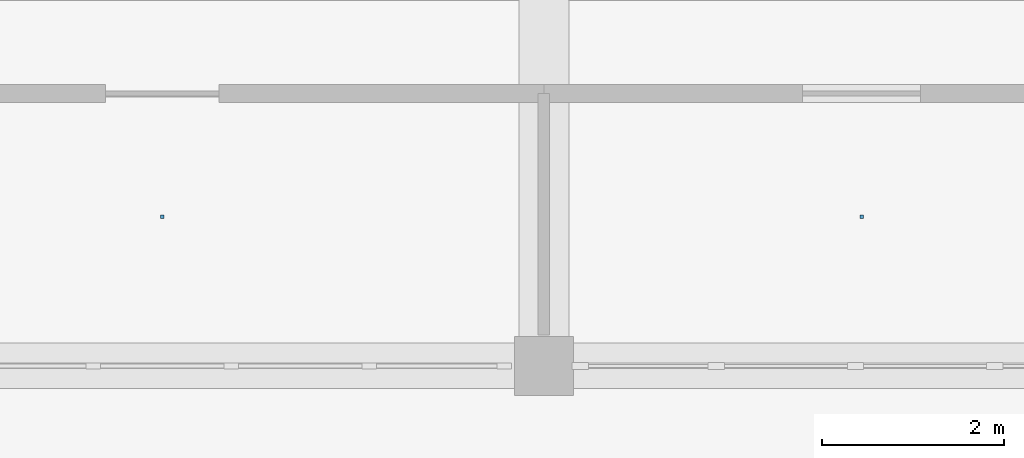
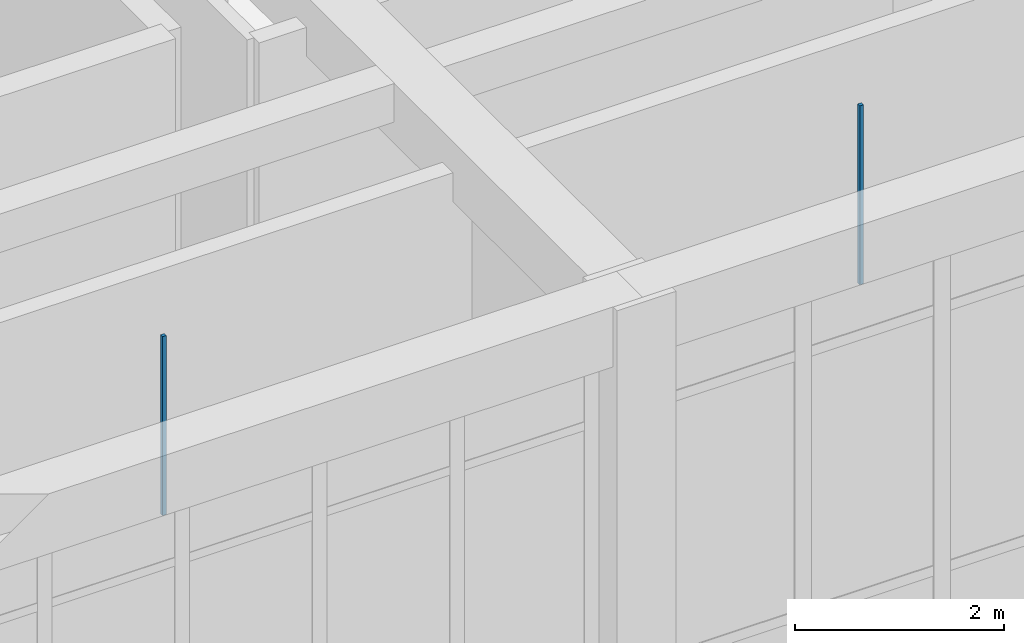
# One storey, part 97 of 167: 2 discrete accessories.
"""IFC4 building model written with IfcOpenShell, lengths in metres."""

import ifcopenshell
import ifcopenshell.guid

model = None  # the IFC model being written
_history = None  # IfcOwnerHistory: only IFC2X3 demands one
_inside = {}  # id of a spatial element -> (the spatial element, [elements in it])
_under = {}  # id of a project, library or spatial element -> (it, [spatial elements below it])
_declared = {}  # id of a project -> (the project, [libraries it declares])
_typed = {}  # id of a type object -> (the type object, [elements of that type])
_made_of = {}  # id of a material, layer set ... -> (it, [elements and type objects made of it])


def new_model(schema):
    """Start an empty IFC model of exactly this schema.

    Asked for "IFC4X3", IfcOpenShell would pick the latest addendum, in which some entities
    have other attributes; the version numbers below select the first issue.
    IFC2X3 requires an IfcOwnerHistory on every rooted entity: one is made here for all.
    """
    global model, _history
    if schema == "IFC4X3":
        model = ifcopenshell.file(schema_version=(4, 3, 0, 0))
    else:
        model = ifcopenshell.file(schema=schema)
    _inside.clear()
    _under.clear()
    _declared.clear()
    _typed.clear()
    _made_of.clear()
    _history = None
    if model.schema == "IFC2X3":
        org = make("IfcOrganization", Name="unknown")
        user = make(
            "IfcPersonAndOrganization",
            ThePerson=make("IfcPerson", FamilyName="unknown"),
            TheOrganization=org,
        )
        app = make(
            "IfcApplication",
            ApplicationDeveloper=org,
            Version="unknown",
            ApplicationFullName="unknown",
            ApplicationIdentifier="unknown",
        )
        _history = make(
            "IfcOwnerHistory",
            OwningUser=user,
            OwningApplication=app,
            ChangeAction="ADDED",
            CreationDate=0,
        )
    return model


def make(cls, **values):
    """One entity of the class cls with the attributes given. An attribute that is None is left unset."""
    return model.create_entity(
        cls, **{name: value for name, value in values.items() if value is not None}
    )


def rooted(cls, **values):
    """An entity with a GlobalId (a new one), such as an element, a storey or a relation."""
    return make(cls, GlobalId=ifcopenshell.guid.new(), OwnerHistory=_history, **values)


def si_unit(unit_type, name, prefix=None):
    """IfcSIUnit, for example si_unit("LENGTHUNIT", "METRE", prefix="MILLI")."""
    return make("IfcSIUnit", UnitType=unit_type, Prefix=prefix, Name=name)


def assignment(units):
    """IfcUnitAssignment: the units of a project."""
    return None if units is None else make("IfcUnitAssignment", Units=units)


def point(xyz):
    """IfcCartesianPoint."""
    return None if xyz is None else make("IfcCartesianPoint", Coordinates=xyz)


def direction(xyz):
    """IfcDirection."""
    return None if xyz is None else make("IfcDirection", DirectionRatios=xyz)


def frame(location, z_axis=None, x_axis=None):
    """IfcAxis2Placement3D, a coordinate frame: its origin and axes. An axis left out is left unset."""
    return make(
        "IfcAxis2Placement3D",
        Location=point(location),
        Axis=direction(z_axis),
        RefDirection=direction(x_axis),
    )


def frame_2d(location, x_axis=None):
    """IfcAxis2Placement2D, a coordinate frame in the plane: its origin and x axis."""
    return make(
        "IfcAxis2Placement2D", Location=point(location), RefDirection=direction(x_axis)
    )


def origin():
    """The frame at (0, 0, 0) with its axes left unset."""
    return frame((0.0, 0.0, 0.0))


def origin_2d():
    """The frame at (0, 0) in the plane with its x axis left unset."""
    return frame_2d((0.0, 0.0))


def place(relative_to, where):
    """IfcLocalPlacement: puts the frame where relative to a parent placement (None: the world)."""
    return make(
        "IfcLocalPlacement", PlacementRelTo=relative_to, RelativePlacement=where
    )


def context(
    kind, dimensions, precision=None, world=None, true_north=None, identifier=None
):
    """IfcGeometricRepresentationContext, for example the 3D "Model" context."""
    return make(
        "IfcGeometricRepresentationContext",
        ContextIdentifier=identifier,
        ContextType=kind,
        CoordinateSpaceDimension=dimensions,
        Precision=precision,
        WorldCoordinateSystem=world,
        TrueNorth=true_north,
    )


def subcontext(parent, identifier, kind, view, scale=None):
    """IfcGeometricRepresentationSubContext, for example "Body" below "Model"."""
    return make(
        "IfcGeometricRepresentationSubContext",
        ContextIdentifier=identifier,
        ContextType=kind,
        ParentContext=parent,
        TargetScale=scale,
        TargetView=view,
    )


def project(units=None, contexts=None):
    """IfcProject with its units and contexts."""
    return rooted(
        "IfcProject",
        Name="project",
        RepresentationContexts=contexts,
        UnitsInContext=assignment(units),
    )


def spatial(cls, under=None, at=None, **own):
    """A site, building, storey or space (cls), placed at a placement, below another one or the project."""
    s = rooted(cls, ObjectPlacement=at, **own)
    if under is not None:
        _under.setdefault(under.id(), (under, []))[1].append(s)
    return s


def profile(cls, at=None, kind="AREA", **sizes):
    """A parametric profile (cls). Its sizes go by their IFC names, for example OverallWidth=200.0."""
    return make(cls, ProfileType=kind, Position=at, **sizes)


def rectangle(**sizes):
    """IfcRectangleProfileDef."""
    return profile("IfcRectangleProfileDef", **sizes)


def extrude(swept, where, along, depth):
    """IfcExtrudedAreaSolid: the profile swept, set in the frame where, extruded along a direction by depth."""
    return make(
        "IfcExtrudedAreaSolid",
        SweptArea=swept,
        Position=where,
        ExtrudedDirection=direction(along),
        Depth=depth,
    )


def shape(context_of_items, identifier, shape_type, items):
    """IfcShapeRepresentation: the items that make up one representation, for example the "Body"."""
    return make(
        "IfcShapeRepresentation",
        ContextOfItems=context_of_items,
        RepresentationIdentifier=identifier,
        RepresentationType=shape_type,
        Items=items,
    )


def material(Name=None, Category=None):
    """IfcMaterial."""
    return make("IfcMaterial", Name=Name, Category=Category)


def made_of(thing, what):
    """Note that an element or type object is made of a material, layer set ...; save() writes the relation."""
    if what is not None:
        _made_of.setdefault(what.id(), (what, []))[1].append(thing)
    return thing


def type_object(cls, material=None, **own):
    """A type object (cls), such as IfcWallType, which elements share."""
    return made_of(rooted(cls, **own), material)


def element(
    cls,
    number,
    at=None,
    inside=None,
    cuts=None,
    type_object=None,
    material=None,
    context=None,
    identifier="Body",
    shape_type=None,
    held_by="IfcProductDefinitionShape",
    body=None,
    shapes=None,
    **own,
):
    """One element of the class cls, such as IfcWall. Its Tag is "e" and its number.

    at: its placement. inside: the storey or other place that contains it. cuts: it is an
    opening in that element (IfcRelVoidsElement). A single representation is given by context,
    identifier, shape_type and body (its items); several are given by shapes. held_by: the class
    of the entity that holds the representations. save() writes the other relations.
    """
    e = rooted(cls, Tag="e%d" % number, ObjectPlacement=at, **own)
    if body is not None:
        shapes = [shape(context, identifier, shape_type, body)]
    if shapes is not None:
        e.Representation = make(held_by, Representations=shapes)
    if inside is not None:
        _inside.setdefault(inside.id(), (inside, []))[1].append(e)
    if cuts is not None:
        rooted(
            "IfcRelVoidsElement", RelatingBuildingElement=cuts, RelatedOpeningElement=e
        )
    if type_object is not None:
        _typed.setdefault(type_object.id(), (type_object, []))[1].append(e)
    return made_of(e, material)


def aggregate(whole, parts):
    """IfcRelAggregates: a whole, such as a stair, and the parts it consists of."""
    return rooted("IfcRelAggregates", RelatingObject=whole, RelatedObjects=parts)


def save(model, path):
    """Write the relations noted so far, then the file.

    IfcRelAggregates (storeys below a building ...), IfcRelContainedInSpatialStructure (elements
    in a storey), IfcRelDefinesByType, IfcRelAssociatesMaterial and IfcRelDeclares: one each for
    every whole, place, type object, material and project.
    """
    for whole, parts in _under.values():
        aggregate(whole, parts)
    for where, things in _inside.values():
        rooted(
            "IfcRelContainedInSpatialStructure",
            RelatedElements=things,
            RelatingStructure=where,
        )
    for kind, things in _typed.values():
        rooted("IfcRelDefinesByType", RelatedObjects=things, RelatingType=kind)
    for what, things in _made_of.values():
        rooted("IfcRelAssociatesMaterial", RelatedObjects=things, RelatingMaterial=what)
    for by, libraries in _declared.values():
        rooted("IfcRelDeclares", RelatingContext=by, RelatedDefinitions=libraries)
    model.write(path)


model = new_model("IFC4")

# Units and contexts
model_context = context("Model", 3, precision=1e-05, world=origin(), true_north=direction((0.0, 1.0)))
body_context = subcontext(model_context, "Body", "Model", "MODEL_VIEW")
ifc_project = project(units=[si_unit("LENGTHUNIT", "METRE"), si_unit("AREAUNIT", "SQUARE_METRE"), si_unit("VOLUMEUNIT", "CUBIC_METRE"), si_unit("PLANEANGLEUNIT", "RADIAN"), si_unit("MASSUNIT", "GRAM", prefix="KILO")], contexts=[model_context])

# Site, building, storey
site_placement = place(None, origin())
site = spatial("IfcSite", under=ifc_project, at=site_placement, CompositionType="ELEMENT")
building_placement = place(site_placement, origin())
building = spatial("IfcBuilding", under=site, at=building_placement, Name="Varncliffe General Hospital", CompositionType="ELEMENT")
storey_placement = place(building_placement, origin())
storey = spatial("IfcBuildingStorey", under=building, at=storey_placement, Name="L00", CompositionType="ELEMENT", Elevation=0.0)

# Discrete accessories
ifc_material = material(Name="Powder-coated hospital steel guardrail and handrail", Category="steel")
discrete_accessory_type = type_object("IfcDiscreteAccessoryType", Name="Suspended Ceiling Hanger Bracket CH01", PredefinedType="BRACKET", material=ifc_material)
for number, where, z_axis, x_axis, name in (
    (1, (37.800048828125, 84.4423828125, 3.18994140625), (0.0, 0.0, 1.0), (1.0, 0.0, 0.0), "L00 Suspended Ceiling Hanger 36"),
    (2, (45.5, 84.4423828125, 3.18994140625), (0.0, 0.0, 1.0), (1.0, 0.0, 0.0), "L00 Suspended Ceiling Hanger 37"),
):
    element("IfcDiscreteAccessory", number, at=place(storey_placement, frame(where, z_axis=z_axis, x_axis=x_axis)), inside=storey, type_object=discrete_accessory_type, Name=name, PredefinedType="BRACKET", context=body_context, shape_type="SweptSolid", body=[
        extrude(rectangle(XDim=0.0400390625, YDim=0.0400390625, at=origin_2d()), origin(), (0.0, 0.0, 1.0), 2.090087890625),
    ])

save(model, "model.ifc")
